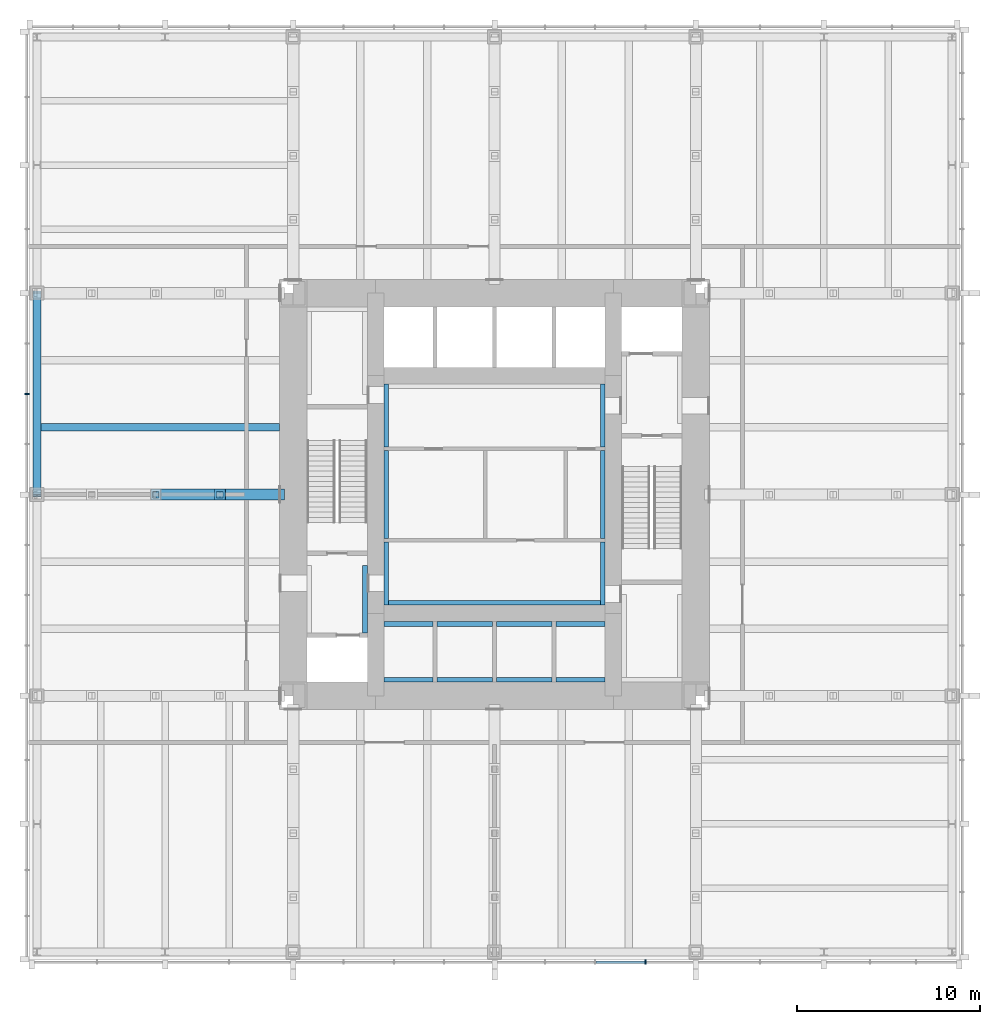
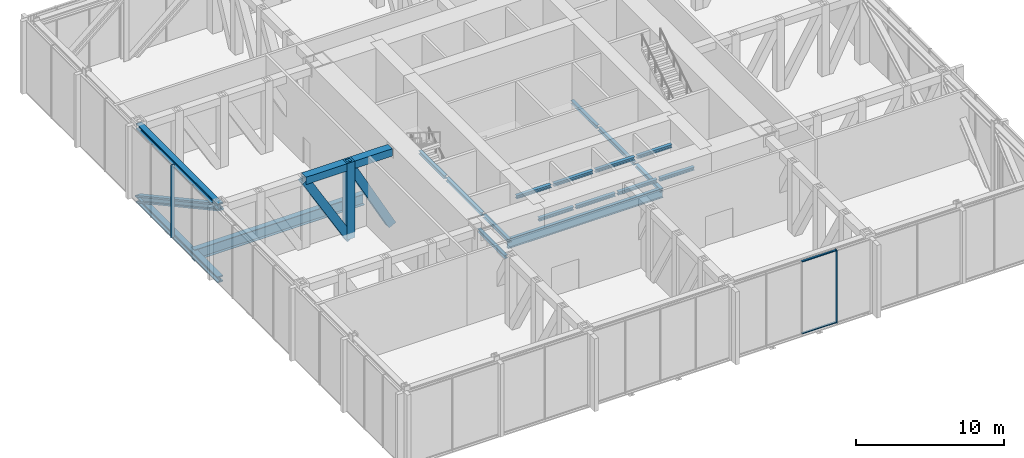
# One storey, part 4 of 13: 21 beams, 8 members, 2 elements without a shape of their own.
"""IFC4 building model written with IfcOpenShell, lengths in metres."""

from ifc_helpers import new_model, si_unit, direction, frame, origin, origin_2d, place, context, subcontext, project, spatial, rectangle, hollow_rectangle, i_section, extrude, material, material_profile, profile_set, type_object, element, aggregate, save


model = new_model("IFC4")

# Units and contexts
model_context = context("Model", 3, precision=1e-05, world=origin(), true_north=direction((0.0, 1.0)))
body_context = subcontext(model_context, "Body", "Model", "MODEL_VIEW")
ifc_project = project(units=[si_unit("LENGTHUNIT", "METRE"), si_unit("AREAUNIT", "SQUARE_METRE"), si_unit("VOLUMEUNIT", "CUBIC_METRE"), si_unit("PLANEANGLEUNIT", "RADIAN"), si_unit("MASSUNIT", "GRAM", prefix="KILO")], contexts=[model_context])

# Site, building, storey
site_placement = place(None, origin())
site = spatial("IfcSite", under=ifc_project, at=site_placement, CompositionType="ELEMENT")
building_placement = place(site_placement, origin())
building = spatial("IfcBuilding", under=site, at=building_placement, Name="Trevanion Tower", CompositionType="ELEMENT")
storey_placement = place(building_placement, frame((0.0, 0.0, 89.800048828125)))
storey = spatial("IfcBuildingStorey", under=building, at=storey_placement, Name="L21", CompositionType="ELEMENT", Elevation=89.800048828125)

# Beams
ifc_material_1 = material(Name="Steel ASTM A992 Grade 50", Category="steel")
ifc_material_profile_1 = material_profile(ifc_material_1, i_section(OverallWidth=0.419189453125, OverallDepth=0.927001953125, WebThickness=0.019287109375, FlangeThickness=0.031982421875, at=origin_2d()), Name="W36X231")
ifc_profile_set_1 = profile_set([ifc_material_profile_1], Name="Steel ASTM A992 Grade 50")
beam_type_1 = type_object("IfcBeamType", Name="B5 W36X231", PredefinedType="BEAM", material=ifc_profile_set_1)
beam_1_placement = place(storey_placement, frame((-11.75, 3.666748046875, -0.653564453125), z_axis=(-1.0, 0.0, 0.0), x_axis=(0.0, -1.0, 0.0)))
element("IfcBeam", 1, at=beam_1_placement, inside=storey, type_object=beam_type_1, Name="B5 L21", PredefinedType="BEAM", context=body_context, shape_type="SweptSolid", body=[
    extrude(i_section(OverallWidth=0.419189453125, OverallDepth=0.927001953125, WebThickness=0.019287109375, FlangeThickness=0.031982421875, at=origin_2d()), origin(), (0.0, 0.0, 1.0), 13.25),
])
ifc_material_2 = material(Name="Steel ASTM A992 Grade 50", Category="steel")
ifc_material_profile_2 = material_profile(ifc_material_2, i_section(OverallWidth=0.431884765625, OverallDepth=0.497802734375, WebThickness=0.0556640625, FlangeThickness=0.0888671875, at=origin_2d()), Name="W14X500")
ifc_profile_set_2 = profile_set([ifc_material_profile_2], Name="Steel ASTM A992 Grade 50")
beam_type_2 = type_object("IfcBeamType", Name="BT1-CH W14X500", PredefinedType="BEAM", material=ifc_profile_set_2)
for number, where, z_axis, x_axis, name in (
    (2, (-25.0, 11.0, -0.494873046875), (0.0, -1.0, 0.0), (1.0, 0.0, 0.0), "BT1 belt truss chord"),
    (3, (-25.0, 11.0, 5.505126953125), (0.0, -1.0, 0.0), (1.0, 0.0, 0.0), "BT1 belt truss chord"),
):
    element("IfcBeam", number, at=place(storey_placement, frame(where, z_axis=z_axis, x_axis=x_axis)), inside=storey, type_object=beam_type_2, Name=name, PredefinedType="BEAM", context=body_context, shape_type="SweptSolid", body=[
        extrude(i_section(OverallWidth=0.431884765625, OverallDepth=0.497802734375, WebThickness=0.0556640625, FlangeThickness=0.0888671875, at=origin_2d()), origin(), (0.0, 0.0, 1.0), 11.0),
    ])

# Member
ifc_material_3 = material(Name="Steel ASTM A992 Grade 50", Category="steel")
ifc_material_profile_3 = material_profile(ifc_material_3, i_section(OverallWidth=0.449462890625, OverallDepth=0.548583984375, WebThickness=0.07177734375, FlangeThickness=0.11474609375, at=origin_2d()), Name="W14X665")
ifc_profile_set_3 = profile_set([ifc_material_profile_3], Name="Steel ASTM A992 Grade 50")
member_type_1 = type_object("IfcMemberType", Name="BT1-D W14X665", PredefinedType="BRACE", material=ifc_profile_set_3)
member_1_placement = place(storey_placement, frame((-25.0, 11.0, -0.494873046875), z_axis=(0.0, -0.877895572914, 0.478852130681), x_axis=(1.0, 0.0, 0.0)))
element("IfcMember", 4, at=member_1_placement, inside=storey, type_object=member_type_1, Name="BT1 belt truss diagonal", PredefinedType="BRACE", context=body_context, shape_type="SweptSolid", body=[
    extrude(i_section(OverallWidth=0.449462890625, OverallDepth=0.548583984375, WebThickness=0.07177734375, FlangeThickness=0.11474609375, at=origin_2d()), origin(), (0.0, 0.0, 1.0), 12.530029296875),
])

# Curtain wall, member
ifc_material_4 = material(Name="Aluminium louvres", Category="aluminium")
curtain_wall_type = type_object("IfcCurtainWallType", Name="CWL curtain wall", PredefinedType="USERDEFINED", material=ifc_material_4)
curtain_wall_1_placement = place(storey_placement, origin())
curtain_wall_1 = element("IfcCurtainWall", 5, at=curtain_wall_1_placement, inside=storey, type_object=curtain_wall_type, Name="CWL L21 2", ObjectType="LOUVRE SCREEN", PredefinedType="USERDEFINED")
ifc_material_5 = material(Name="Aluminium extrusion, anodised bronze", Category="aluminium")
ifc_material_profile_4 = material_profile(ifc_material_5, rectangle(XDim=0.074951171875, YDim=0.25, at=origin_2d()), Name="CWL mullion")
ifc_profile_set_4 = profile_set([ifc_material_profile_4], Name="Aluminium extrusion, anodised bronze")
member_type_2 = type_object("IfcMemberType", Name="CWL mullion", PredefinedType="MULLION", material=ifc_profile_set_4)
member_2_placement = place(storey_placement, frame((-25.550048828125, 5.5, -0.18994140625), z_axis=(0.0, 0.0, 1.0), x_axis=(0.0, -1.0, 0.0)))
member_2 = element("IfcMember", 6, at=member_2_placement, type_object=member_type_2, Name="CWL mullion 7", PredefinedType="MULLION", context=body_context, shape_type="SweptSolid", body=[
    extrude(rectangle(XDim=0.074951171875, YDim=0.25, at=origin_2d()), origin(), (0.0, 0.0, 1.0), 6.0),
])
aggregate(curtain_wall_1, [member_2])

# Curtain wall, members
curtain_wall_2_placement = place(storey_placement, origin())
curtain_wall_2 = element("IfcCurtainWall", 7, at=curtain_wall_2_placement, inside=storey, type_object=curtain_wall_type, Name="CWL L21 3", ObjectType="LOUVRE SCREEN", PredefinedType="USERDEFINED")
member_3_placement = place(storey_placement, frame((8.25, -25.550048828125, -0.18994140625), z_axis=(0.0, 0.0, 1.0), x_axis=(1.0, 0.0, 0.0)))
member_3 = element("IfcMember", 8, at=member_3_placement, type_object=member_type_2, Name="CWL mullion 12", PredefinedType="MULLION", context=body_context, shape_type="SweptSolid", body=[
    extrude(rectangle(XDim=0.074951171875, YDim=0.25, at=origin_2d()), origin(), (0.0, 0.0, 1.0), 6.0),
])
ifc_material_6 = material(Name="Aluminium extrusion, anodised bronze", Category="aluminium")
ifc_material_profile_5 = material_profile(ifc_material_6, rectangle(XDim=0.14990234375, YDim=0.074951171875, at=origin_2d()), Name="CWL transom")
ifc_profile_set_5 = profile_set([ifc_material_profile_5], Name="Aluminium extrusion, anodised bronze")
member_type_3 = type_object("IfcMemberType", Name="CWL transom", PredefinedType="USERDEFINED", material=ifc_profile_set_5)
member_4_placement = place(storey_placement, frame((5.53759765625, -25.550048828125, -0.152587890625), z_axis=(1.0, 0.0, 0.0), x_axis=(0.0, 1.0, 0.0)))
member_4 = element("IfcMember", 9, at=member_4_placement, type_object=member_type_3, Name="CWL transom 11.1", ObjectType="TRANSOM", PredefinedType="USERDEFINED", context=body_context, shape_type="SweptSolid", body=[
    extrude(rectangle(XDim=0.14990234375, YDim=0.074951171875, at=origin_2d()), origin(), (0.0, 0.0, 1.0), 2.6748046875),
])
member_5_placement = place(storey_placement, frame((5.53759765625, -25.550048828125, 5.7724609375), z_axis=(1.0, 0.0, 0.0), x_axis=(0.0, 1.0, 0.0)))
member_5 = element("IfcMember", 10, at=member_5_placement, type_object=member_type_3, Name="CWL transom 11.2", ObjectType="TRANSOM", PredefinedType="USERDEFINED", context=body_context, shape_type="SweptSolid", body=[
    extrude(rectangle(XDim=0.14990234375, YDim=0.074951171875, at=origin_2d()), origin(), (0.0, 0.0, 1.0), 2.6748046875),
])
aggregate(curtain_wall_2, [member_3, member_4, member_5])

# Beams
ifc_material_7 = material(Name="Steel ASTM A992 Grade 50", Category="steel")
ifc_material_profile_6 = material_profile(ifc_material_7, i_section(OverallWidth=0.256591796875, OverallDepth=0.26416015625, WebThickness=0.011962890625, FlangeThickness=0.01953125, at=origin_2d()), Name="W10X68")
ifc_profile_set_6 = profile_set([ifc_material_profile_6], Name="Steel ASTM A992 Grade 50")
beam_type_3 = type_object("IfcBeamType", Name="LB1 W10X68", PredefinedType="BEAM", material=ifc_profile_set_6)
for number, where, z_axis, x_axis, name in (
    (11, (-5.921630859375, 2.60009765625, -0.33203125), (0.0, 1.0, 0.0), (-1.0, 0.0, 0.0), "LB1 L21"),
    (12, (5.921630859375, 2.60009765625, -0.33203125), (0.0, 1.0, 0.0), (-1.0, 0.0, 0.0), "LB1 L21"),
    (13, (-5.921630859375, -6.050048828125, -0.33203125), (0.0, 1.0, 0.0), (-1.0, 0.0, 0.0), "LB1 L21"),
    (14, (5.921630859375, -6.050048828125, -0.33203125), (0.0, 1.0, 0.0), (-1.0, 0.0, 0.0), "LB1 L21"),
):
    element("IfcBeam", number, at=place(storey_placement, frame(where, z_axis=z_axis, x_axis=x_axis)), inside=storey, type_object=beam_type_3, Name=name, PredefinedType="BEAM", context=body_context, shape_type="SweptSolid", body=[
        extrude(i_section(OverallWidth=0.256591796875, OverallDepth=0.26416015625, WebThickness=0.011962890625, FlangeThickness=0.01953125, at=origin_2d()), origin(), (0.0, 0.0, 1.0), 3.449951171875),
    ])
beam_2_placement = place(storey_placement, frame((-7.078369140625, -7.574951171875, -0.33203125), z_axis=(0.0, 1.0, 0.0), x_axis=(-1.0, 0.0, 0.0)))
element("IfcBeam", 15, at=beam_2_placement, inside=storey, type_object=beam_type_3, Name="LB1 L21", PredefinedType="BEAM", context=body_context, shape_type="SweptSolid", body=[
    extrude(i_section(OverallWidth=0.256591796875, OverallDepth=0.26416015625, WebThickness=0.011962890625, FlangeThickness=0.01953125, at=origin_2d()), origin(), (0.0, 0.0, 1.0), 3.699951171875),
])
for number, where, z_axis, x_axis, name in (
    (16, (-5.921630859375, -2.39990234375, -0.33203125), (0.0, 1.0, 0.0), (-1.0, 0.0, 0.0), "LB1 L21"),
    (17, (5.921630859375, -2.39990234375, -0.33203125), (0.0, 1.0, 0.0), (-1.0, 0.0, 0.0), "LB1 L21"),
):
    element("IfcBeam", number, at=place(storey_placement, frame(where, z_axis=z_axis, x_axis=x_axis)), inside=storey, type_object=beam_type_3, Name=name, PredefinedType="BEAM", context=body_context, shape_type="SweptSolid", body=[
        extrude(i_section(OverallWidth=0.256591796875, OverallDepth=0.26416015625, WebThickness=0.011962890625, FlangeThickness=0.01953125, at=origin_2d()), origin(), (0.0, 0.0, 1.0), 4.7998046875),
    ])
for number, where, z_axis, x_axis, name in (
    (18, (-6.050048828125, -10.12158203125, 3.9677734375), (1.0, 0.0, 0.0), (0.0, 1.0, 0.0), "LB1 L21"),
    (19, (-6.050048828125, -7.078369140625, 3.9677734375), (1.0, 0.0, 0.0), (0.0, 1.0, 0.0), "LB1 L21"),
):
    element("IfcBeam", number, at=place(storey_placement, frame(where, z_axis=z_axis, x_axis=x_axis)), inside=storey, type_object=beam_type_3, Name=name, PredefinedType="BEAM", context=body_context, shape_type="SweptSolid", body=[
        extrude(i_section(OverallWidth=0.256591796875, OverallDepth=0.26416015625, WebThickness=0.011962890625, FlangeThickness=0.01953125, at=origin_2d()), origin(), (0.0, 0.0, 1.0), 2.699951171875),
    ])
for number, where, z_axis, x_axis, name in (
    (20, (-3.14990234375, -10.12158203125, 3.9677734375), (1.0, 0.0, 0.0), (0.0, 1.0, 0.0), "LB1 L21"),
    (21, (-3.14990234375, -7.078369140625, 3.9677734375), (1.0, 0.0, 0.0), (0.0, 1.0, 0.0), "LB1 L21"),
    (22, (0.10009765625, -10.12158203125, 3.9677734375), (1.0, 0.0, 0.0), (0.0, 1.0, 0.0), "LB1 L21"),
    (23, (0.10009765625, -7.078369140625, 3.9677734375), (1.0, 0.0, 0.0), (0.0, 1.0, 0.0), "LB1 L21"),
):
    element("IfcBeam", number, at=place(storey_placement, frame(where, z_axis=z_axis, x_axis=x_axis)), inside=storey, type_object=beam_type_3, Name=name, PredefinedType="BEAM", context=body_context, shape_type="SweptSolid", body=[
        extrude(i_section(OverallWidth=0.256591796875, OverallDepth=0.26416015625, WebThickness=0.011962890625, FlangeThickness=0.01953125, at=origin_2d()), origin(), (0.0, 0.0, 1.0), 3.0498046875),
    ])
for number, where, z_axis, x_axis, name in (
    (24, (3.35009765625, -10.12158203125, 3.9677734375), (1.0, 0.0, 0.0), (0.0, 1.0, 0.0), "LB1 L21"),
    (25, (3.35009765625, -7.078369140625, 3.9677734375), (1.0, 0.0, 0.0), (0.0, 1.0, 0.0), "LB1 L21"),
):
    element("IfcBeam", number, at=place(storey_placement, frame(where, z_axis=z_axis, x_axis=x_axis)), inside=storey, type_object=beam_type_3, Name=name, PredefinedType="BEAM", context=body_context, shape_type="SweptSolid", body=[
        extrude(i_section(OverallWidth=0.256591796875, OverallDepth=0.26416015625, WebThickness=0.011962890625, FlangeThickness=0.01953125, at=origin_2d()), origin(), (0.0, 0.0, 1.0), 2.699951171875),
    ])
ifc_material_8 = material(Name="Steel ASTM A992 Grade 50", Category="steel")
ifc_material_profile_7 = material_profile(ifc_material_8, i_section(OverallWidth=0.2666015625, OverallDepth=0.76953125, WebThickness=0.015625, FlangeThickness=0.025390625, at=origin_2d()), Name="W30X132")
ifc_profile_set_7 = profile_set([ifc_material_profile_7], Name="Steel ASTM A992 Grade 50")
beam_type_4 = type_object("IfcBeamType", Name="LB3 W30X132", PredefinedType="BEAM", material=ifc_profile_set_7)
beam_3_placement = place(storey_placement, frame((-6.050048828125, -5.91650390625, -0.5849609375), z_axis=(1.0, 0.0, 0.0), x_axis=(0.0, 1.0, 0.0)))
element("IfcBeam", 26, at=beam_3_placement, inside=storey, type_object=beam_type_4, Name="LB3 L21", PredefinedType="BEAM", context=body_context, shape_type="SweptSolid", body=[
    extrude(i_section(OverallWidth=0.2666015625, OverallDepth=0.76953125, WebThickness=0.015625, FlangeThickness=0.025390625, at=origin_2d()), origin(), (0.0, 0.0, 1.0), 12.10009765625),
])
ifc_material_9 = material(Name="Steel ASTM A588 Grade 50", Category="steel")
ifc_material_profile_8 = material_profile(ifc_material_9, hollow_rectangle(XDim=0.609619140625, YDim=0.609619140625, WallThickness=0.15234375, at=origin_2d()), Name="BOX24X24X6")
ifc_profile_set_8 = profile_set([ifc_material_profile_8], Name="Steel ASTM A588 Grade 50")
beam_type_5 = type_object("IfcBeamType", Name="OT1-CH BOX24X24X6", PredefinedType="BEAM", material=ifc_profile_set_8)
beam_4_placement = place(storey_placement, frame((-11.75, 0.0, 5.505126953125), z_axis=(-1.0, 0.0, 0.0), x_axis=(0.0, -1.0, 0.0)))
element("IfcBeam", 27, at=beam_4_placement, inside=storey, type_object=beam_type_5, Name="OT1 3/H outrigger and transfer truss chord", PredefinedType="BEAM", context=body_context, shape_type="SweptSolid", body=[
    extrude(hollow_rectangle(XDim=0.609619140625, YDim=0.609619140625, WallThickness=0.15234375, at=origin_2d()), origin(), (0.0, 0.0, 1.0), 3.25),
])
beam_5_placement = place(storey_placement, frame((-15.0, 0.0, 5.505126953125), z_axis=(-1.0, 0.0, 0.0), x_axis=(0.0, -1.0, 0.0)))
element("IfcBeam", 28, at=beam_5_placement, inside=storey, type_object=beam_type_5, Name="OT1 3/H outrigger and transfer truss chord", PredefinedType="BEAM", context=body_context, shape_type="SweptSolid", body=[
    extrude(hollow_rectangle(XDim=0.609619140625, YDim=0.609619140625, WallThickness=0.15234375, at=origin_2d()), origin(), (0.0, 0.0, 1.0), 3.5),
])

# Members
ifc_material_10 = material(Name="Steel ASTM A588 Grade 50", Category="steel")
ifc_material_profile_9 = material_profile(ifc_material_10, hollow_rectangle(XDim=0.609619140625, YDim=0.609619140625, WallThickness=0.126953125, at=origin_2d()), Name="BOX24X24X5")
ifc_profile_set_9 = profile_set([ifc_material_profile_9], Name="Steel ASTM A588 Grade 50")
member_type_4 = type_object("IfcMemberType", Name="OT1-D BOX24X24X5", PredefinedType="BRACE", material=ifc_profile_set_9)
member_6_placement = place(storey_placement, frame((-11.75, 0.0, -0.494873046875), z_axis=(-0.476283148541, 0.0, 0.879291966537), x_axis=(0.0, -1.0, 0.0)))
element("IfcMember", 29, at=member_6_placement, inside=storey, type_object=member_type_4, Name="OT1 3/H outrigger and transfer truss diagonal", PredefinedType="BRACE", context=body_context, shape_type="SweptSolid", body=[
    extrude(hollow_rectangle(XDim=0.609619140625, YDim=0.609619140625, WallThickness=0.126953125, at=origin_2d()), origin(), (0.0, 0.0, 1.0), 6.82373046875),
])
member_7_placement = place(storey_placement, frame((-15.0, 0.0, -0.494873046875), z_axis=(-0.503871025524, 0.0, 0.863778900898), x_axis=(0.0, -1.0, 0.0)))
element("IfcMember", 30, at=member_7_placement, inside=storey, type_object=member_type_4, Name="OT1 3/H outrigger and transfer truss diagonal", PredefinedType="BRACE", context=body_context, shape_type="SweptSolid", body=[
    extrude(hollow_rectangle(XDim=0.609619140625, YDim=0.609619140625, WallThickness=0.126953125, at=origin_2d()), origin(), (0.0, 0.0, 1.0), 6.9462890625),
])
ifc_material_11 = material(Name="Steel ASTM A588 Grade 50", Category="steel")
ifc_material_profile_10 = material_profile(ifc_material_11, hollow_rectangle(XDim=0.609619140625, YDim=0.609619140625, WallThickness=0.126953125, at=origin_2d()), Name="BOX24X24X5")
ifc_profile_set_10 = profile_set([ifc_material_profile_10], Name="Steel ASTM A588 Grade 50")
member_type_5 = type_object("IfcMemberType", Name="OT1-V BOX24X24X5", PredefinedType="POST", material=ifc_profile_set_10)
member_8_placement = place(storey_placement, frame((-15.0, 0.0, -0.494873046875), z_axis=(0.0, 0.0, 1.0), x_axis=(1.0, 0.0, 0.0)))
element("IfcMember", 31, at=member_8_placement, inside=storey, type_object=member_type_5, Name="OT1 3/H outrigger and transfer truss vertical", PredefinedType="POST", context=body_context, shape_type="SweptSolid", body=[
    extrude(hollow_rectangle(XDim=0.609619140625, YDim=0.609619140625, WallThickness=0.126953125, at=origin_2d()), origin(), (0.0, 0.0, 1.0), 6.304931640625),
])

save(model, "model.ifc")
